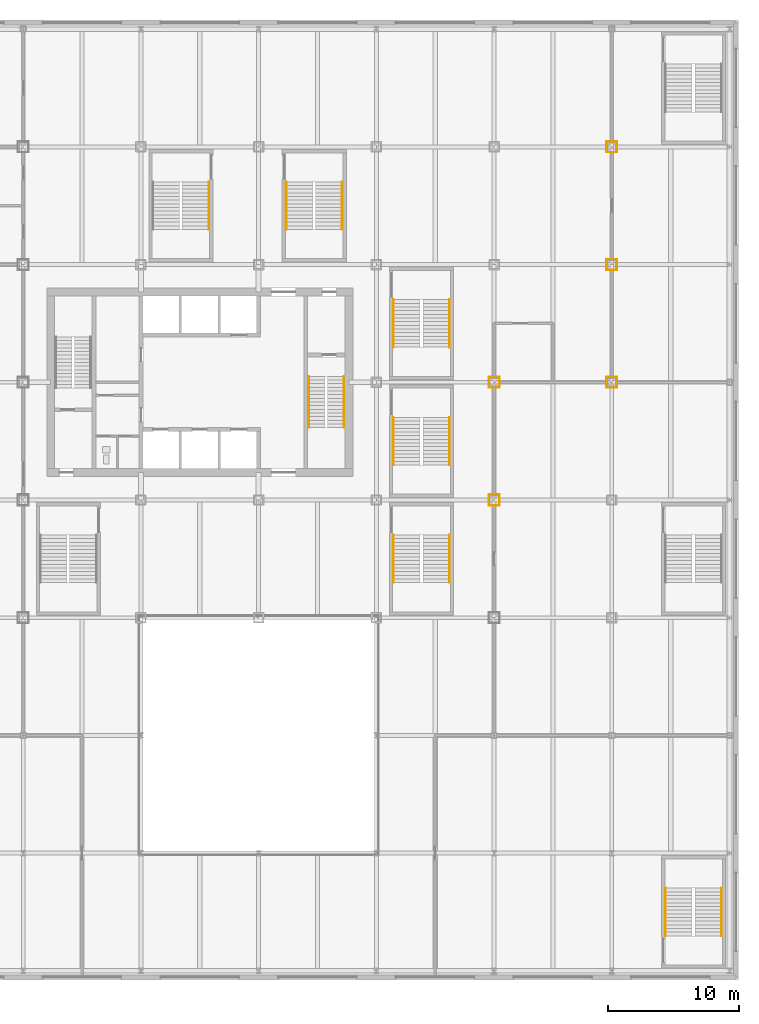
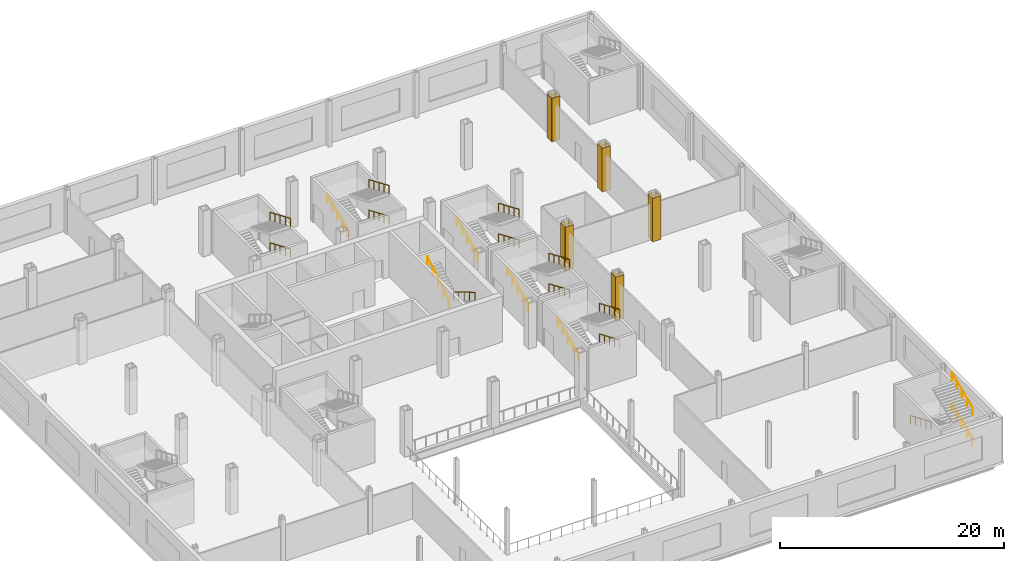
# One storey, part 24 of 28: 20 coverings, 19 railings.
"""IFC4 building model written with IfcOpenShell, lengths in metres."""

from ifc_helpers import new_model, si_unit, direction, frame, origin, origin_2d, place, context, subcontext, project, spatial, rectangle, circle, extrude, material, layer, layer_set, type_object, element, save


model = new_model("IFC4")

# Units and contexts
model_context = context("Model", 3, precision=1e-05, world=origin(), true_north=direction((0.0, 1.0)))
body_context = subcontext(model_context, "Body", "Model", "MODEL_VIEW")
ifc_project = project(units=[si_unit("LENGTHUNIT", "METRE"), si_unit("AREAUNIT", "SQUARE_METRE"), si_unit("VOLUMEUNIT", "CUBIC_METRE"), si_unit("PLANEANGLEUNIT", "RADIAN"), si_unit("MASSUNIT", "GRAM", prefix="KILO")], contexts=[model_context])

# Site, building, storey
site_placement = place(None, origin())
site = spatial("IfcSite", under=ifc_project, at=site_placement, CompositionType="ELEMENT")
building_placement = place(site_placement, origin())
building = spatial("IfcBuilding", under=site, at=building_placement, Name="Loomwork Tower", CompositionType="ELEMENT")
storey_placement = place(building_placement, frame((0.0, 0.0, 6.0)))
storey = spatial("IfcBuildingStorey", under=building, at=storey_placement, Name="L01", CompositionType="ELEMENT", Elevation=6.0)

# Coverings
ifc_material_1 = material(Name="Two-hour fire-rated gypsum board casing")
ifc_layer = layer(ifc_material_1, 0.02490234375)
ifc_layer_set = layer_set([ifc_layer], Name="Column fire casing 25")
covering_type = type_object("IfcCoveringType", Name="Column fire casing 25", PredefinedType="CLADDING", material=ifc_layer_set)
for number, where, z_axis, x_axis, name in (
    (1, (45.0, 9.41259765625, 0.0), (0.0, 0.0, 1.0), (1.0, 0.0, 0.0), "Column casing 45 9 L01"),
    (2, (45.0, 8.58740234375, 0.0), (0.0, 0.0, 1.0), (1.0, 0.0, 0.0), "Column casing 45 9 L01"),
):
    element("IfcCovering", number, at=place(storey_placement, frame(where, z_axis=z_axis, x_axis=x_axis)), inside=storey, type_object=covering_type, Name=name, PredefinedType="CLADDING", context=body_context, shape_type="SweptSolid", body=[
        extrude(rectangle(XDim=0.85009765625, YDim=0.02490234375, at=origin_2d()), origin(), (0.0, 0.0, 1.0), 4.75),
    ])
for number, where, z_axis, x_axis, name in (
    (3, (45.41259765625, 9.0, 0.0), (0.0, 0.0, 1.0), (1.0, 0.0, 0.0), "Column casing 45 9 L01"),
    (4, (44.58740234375, 9.0, 0.0), (0.0, 0.0, 1.0), (1.0, 0.0, 0.0), "Column casing 45 9 L01"),
):
    element("IfcCovering", number, at=place(storey_placement, frame(where, z_axis=z_axis, x_axis=x_axis)), inside=storey, type_object=covering_type, Name=name, PredefinedType="CLADDING", context=body_context, shape_type="SweptSolid", body=[
        extrude(rectangle(XDim=0.02490234375, YDim=0.800048828125, at=origin_2d()), origin(), (0.0, 0.0, 1.0), 4.75),
    ])
for number, where, z_axis, x_axis, name in (
    (5, (45.0, 18.41259765625, 0.0), (0.0, 0.0, 1.0), (1.0, 0.0, 0.0), "Column casing 45 18 L01"),
    (6, (45.0, 17.58740234375, 0.0), (0.0, 0.0, 1.0), (1.0, 0.0, 0.0), "Column casing 45 18 L01"),
):
    element("IfcCovering", number, at=place(storey_placement, frame(where, z_axis=z_axis, x_axis=x_axis)), inside=storey, type_object=covering_type, Name=name, PredefinedType="CLADDING", context=body_context, shape_type="SweptSolid", body=[
        extrude(rectangle(XDim=0.85009765625, YDim=0.02490234375, at=origin_2d()), origin(), (0.0, 0.0, 1.0), 4.75),
    ])
for number, where, z_axis, x_axis, name in (
    (7, (45.41259765625, 18.0, 0.0), (0.0, 0.0, 1.0), (1.0, 0.0, 0.0), "Column casing 45 18 L01"),
    (8, (44.58740234375, 18.0, 0.0), (0.0, 0.0, 1.0), (1.0, 0.0, 0.0), "Column casing 45 18 L01"),
):
    element("IfcCovering", number, at=place(storey_placement, frame(where, z_axis=z_axis, x_axis=x_axis)), inside=storey, type_object=covering_type, Name=name, PredefinedType="CLADDING", context=body_context, shape_type="SweptSolid", body=[
        extrude(rectangle(XDim=0.02490234375, YDim=0.800048828125, at=origin_2d()), origin(), (0.0, 0.0, 1.0), 4.75),
    ])
for number, where, z_axis, x_axis, name in (
    (9, (54.0, 18.41259765625, 0.0), (0.0, 0.0, 1.0), (1.0, 0.0, 0.0), "Column casing 54 18 L01"),
    (10, (54.0, 17.58740234375, 0.0), (0.0, 0.0, 1.0), (1.0, 0.0, 0.0), "Column casing 54 18 L01"),
):
    element("IfcCovering", number, at=place(storey_placement, frame(where, z_axis=z_axis, x_axis=x_axis)), inside=storey, type_object=covering_type, Name=name, PredefinedType="CLADDING", context=body_context, shape_type="SweptSolid", body=[
        extrude(rectangle(XDim=0.85009765625, YDim=0.02490234375, at=origin_2d()), origin(), (0.0, 0.0, 1.0), 4.75),
    ])
for number, where, z_axis, x_axis, name in (
    (11, (54.41259765625, 18.0, 0.0), (0.0, 0.0, 1.0), (1.0, 0.0, 0.0), "Column casing 54 18 L01"),
    (12, (53.58740234375, 18.0, 0.0), (0.0, 0.0, 1.0), (1.0, 0.0, 0.0), "Column casing 54 18 L01"),
):
    element("IfcCovering", number, at=place(storey_placement, frame(where, z_axis=z_axis, x_axis=x_axis)), inside=storey, type_object=covering_type, Name=name, PredefinedType="CLADDING", context=body_context, shape_type="SweptSolid", body=[
        extrude(rectangle(XDim=0.02490234375, YDim=0.800048828125, at=origin_2d()), origin(), (0.0, 0.0, 1.0), 4.75),
    ])
for number, where, z_axis, x_axis, name in (
    (13, (54.0, 27.41259765625, 0.0), (0.0, 0.0, 1.0), (1.0, 0.0, 0.0), "Column casing 54 27 L01"),
    (14, (54.0, 26.58740234375, 0.0), (0.0, 0.0, 1.0), (1.0, 0.0, 0.0), "Column casing 54 27 L01"),
):
    element("IfcCovering", number, at=place(storey_placement, frame(where, z_axis=z_axis, x_axis=x_axis)), inside=storey, type_object=covering_type, Name=name, PredefinedType="CLADDING", context=body_context, shape_type="SweptSolid", body=[
        extrude(rectangle(XDim=0.85009765625, YDim=0.02490234375, at=origin_2d()), origin(), (0.0, 0.0, 1.0), 4.75),
    ])
for number, where, z_axis, x_axis, name in (
    (15, (54.41259765625, 27.0, 0.0), (0.0, 0.0, 1.0), (1.0, 0.0, 0.0), "Column casing 54 27 L01"),
    (16, (53.58740234375, 27.0, 0.0), (0.0, 0.0, 1.0), (1.0, 0.0, 0.0), "Column casing 54 27 L01"),
):
    element("IfcCovering", number, at=place(storey_placement, frame(where, z_axis=z_axis, x_axis=x_axis)), inside=storey, type_object=covering_type, Name=name, PredefinedType="CLADDING", context=body_context, shape_type="SweptSolid", body=[
        extrude(rectangle(XDim=0.02490234375, YDim=0.800048828125, at=origin_2d()), origin(), (0.0, 0.0, 1.0), 4.75),
    ])
for number, where, z_axis, x_axis, name in (
    (17, (54.0, 36.41259765625, 0.0), (0.0, 0.0, 1.0), (1.0, 0.0, 0.0), "Column casing 54 36 L01"),
    (18, (54.0, 35.58740234375, 0.0), (0.0, 0.0, 1.0), (1.0, 0.0, 0.0), "Column casing 54 36 L01"),
):
    element("IfcCovering", number, at=place(storey_placement, frame(where, z_axis=z_axis, x_axis=x_axis)), inside=storey, type_object=covering_type, Name=name, PredefinedType="CLADDING", context=body_context, shape_type="SweptSolid", body=[
        extrude(rectangle(XDim=0.85009765625, YDim=0.02490234375, at=origin_2d()), origin(), (0.0, 0.0, 1.0), 4.75),
    ])
for number, where, z_axis, x_axis, name in (
    (19, (54.41259765625, 36.0, 0.0), (0.0, 0.0, 1.0), (1.0, 0.0, 0.0), "Column casing 54 36 L01"),
    (20, (53.58740234375, 36.0, 0.0), (0.0, 0.0, 1.0), (1.0, 0.0, 0.0), "Column casing 54 36 L01"),
):
    element("IfcCovering", number, at=place(storey_placement, frame(where, z_axis=z_axis, x_axis=x_axis)), inside=storey, type_object=covering_type, Name=name, PredefinedType="CLADDING", context=body_context, shape_type="SweptSolid", body=[
        extrude(rectangle(XDim=0.02490234375, YDim=0.800048828125, at=origin_2d()), origin(), (0.0, 0.0, 1.0), 4.75),
    ])

# Railings
ifc_material_2 = material(Name="Stainless steel handrail", Category="steel")
railing_type = type_object("IfcRailingType", Name="Handrail 900", PredefinedType="HANDRAIL", material=ifc_material_2)
railing_1_placement = place(storey_placement, frame((33.514892578125, 18.449951171875, 0.166748046875)))
element("IfcRailing", 21, at=railing_1_placement, inside=storey, type_object=railing_type, Name="Stair B handrail flight 1 L01", PredefinedType="HANDRAIL", context=body_context, shape_type="SweptSolid", body=[
    extrude(circle(Radius=0.02392578125, at=origin_2d()), frame((0.0, 0.0, 0.8759765625), z_axis=(0.0, -0.859296244711, 0.511478214419), x_axis=(1.0, 0.0, 0.0)), (0.0, 0.0, 1.0), 4.561767578125),
    extrude(circle(Radius=0.02099609375, at=origin_2d()), origin(), (0.0, 0.0, 1.0), 0.851806640625),
    extrude(circle(Radius=0.02099609375, at=origin_2d()), frame((0.0, -0.97998046875, 0.583251953125)), (0.0, 0.0, 1.0), 0.851806640625),
    extrude(circle(Radius=0.02099609375, at=origin_2d()), frame((0.0, -1.9599609375, 1.16650390625)), (0.0, 0.0, 1.0), 0.851806640625),
    extrude(circle(Radius=0.02099609375, at=origin_2d()), frame((0.0, -2.93994140625, 1.75)), (0.0, 0.0, 1.0), 0.851806640625),
    extrude(circle(Radius=0.02099609375, at=origin_2d()), frame((0.0, -3.919921875, 2.333251953125)), (0.0, 0.0, 1.0), 0.851806640625),
])
railing_2_placement = place(storey_placement, frame((30.8349609375, 14.530029296875, 2.666748046875)))
element("IfcRailing", 22, at=railing_2_placement, inside=storey, type_object=railing_type, Name="Stair B handrail flight 2 L01", PredefinedType="HANDRAIL", context=body_context, shape_type="SweptSolid", body=[
    extrude(circle(Radius=0.02392578125, at=origin_2d()), frame((0.0, 0.0, 0.8759765625), z_axis=(0.0, 0.859296244711, 0.511478214419), x_axis=(-1.0, 0.0, 0.0)), (0.0, 0.0, 1.0), 4.561767578125),
    extrude(circle(Radius=0.02099609375, at=origin_2d()), origin(), (0.0, 0.0, 1.0), 0.851806640625),
    extrude(circle(Radius=0.02099609375, at=origin_2d()), frame((0.0, 0.97998046875, 0.583251953125)), (0.0, 0.0, 1.0), 0.851806640625),
    extrude(circle(Radius=0.02099609375, at=origin_2d()), frame((0.0, 1.9599609375, 1.16650390625)), (0.0, 0.0, 1.0), 0.851806640625),
    extrude(circle(Radius=0.02099609375, at=origin_2d()), frame((0.0, 2.93994140625, 1.75)), (0.0, 0.0, 1.0), 0.851806640625),
    extrude(circle(Radius=0.02099609375, at=origin_2d()), frame((0.0, 3.919921875, 2.333251953125)), (0.0, 0.0, 1.0), 0.851806640625),
])
railing_3_placement = place(storey_placement, frame((62.389892578125, -24.320068359375, 0.118896484375)))
element("IfcRailing", 23, at=railing_3_placement, inside=storey, type_object=railing_type, Name="Podium stair PS2 handrail flight 1 L01", PredefinedType="HANDRAIL", context=body_context, shape_type="SweptSolid", body=[
    extrude(circle(Radius=0.02392578125, at=origin_2d()), frame((0.0, 0.0, 0.8759765625), z_axis=(0.0, 0.920258693564, 0.391310537706), x_axis=(-1.0, 0.0, 0.0)), (0.0, 0.0, 1.0), 3.95556640625),
    extrude(circle(Radius=0.02099609375, at=origin_2d()), origin(), (0.0, 0.0, 1.0), 0.851806640625),
    extrude(circle(Radius=0.02099609375, at=origin_2d()), frame((0.0, 0.91015625, 0.386962890625)), (0.0, 0.0, 1.0), 0.851806640625),
    extrude(circle(Radius=0.02099609375, at=origin_2d()), frame((0.0, 1.820068359375, 0.77392578125)), (0.0, 0.0, 1.0), 0.851806640625),
    extrude(circle(Radius=0.02099609375, at=origin_2d()), frame((0.0, 2.72998046875, 1.160888671875)), (0.0, 0.0, 1.0), 0.851806640625),
    extrude(circle(Radius=0.02099609375, at=origin_2d()), frame((0.0, 3.64013671875, 1.5478515625)), (0.0, 0.0, 1.0), 0.851806640625),
])
railing_4_placement = place(storey_placement, frame((58.110107421875, -20.679931640625, 1.78564453125)))
element("IfcRailing", 24, at=railing_4_placement, inside=storey, type_object=railing_type, Name="Podium stair PS2 handrail flight 2 L01", PredefinedType="HANDRAIL", context=body_context, shape_type="SweptSolid", body=[
    extrude(circle(Radius=0.02392578125, at=origin_2d()), frame((0.0, 0.0, 0.8759765625), z_axis=(0.0, -0.920258693564, 0.391310537706), x_axis=(1.0, 0.0, 0.0)), (0.0, 0.0, 1.0), 3.95556640625),
    extrude(circle(Radius=0.02099609375, at=origin_2d()), origin(), (0.0, 0.0, 1.0), 0.851806640625),
    extrude(circle(Radius=0.02099609375, at=origin_2d()), frame((0.0, -0.91015625, 0.386962890625)), (0.0, 0.0, 1.0), 0.851806640625),
    extrude(circle(Radius=0.02099609375, at=origin_2d()), frame((0.0, -1.820068359375, 0.77392578125)), (0.0, 0.0, 1.0), 0.851806640625),
    extrude(circle(Radius=0.02099609375, at=origin_2d()), frame((0.0, -2.72998046875, 1.160888671875)), (0.0, 0.0, 1.0), 0.851806640625),
    extrude(circle(Radius=0.02099609375, at=origin_2d()), frame((0.0, -3.64013671875, 1.5478515625)), (0.0, 0.0, 1.0), 0.851806640625),
])
railing_5_placement = place(storey_placement, frame((62.389892578125, -24.320068359375, 3.452392578125)))
element("IfcRailing", 25, at=railing_5_placement, inside=storey, type_object=railing_type, Name="Podium stair PS2 handrail flight 3 L01", PredefinedType="HANDRAIL", context=body_context, shape_type="SweptSolid", body=[
    extrude(circle(Radius=0.02392578125, at=origin_2d()), frame((0.0, 0.0, 0.8759765625), z_axis=(0.0, 0.920280918742, 0.391258265855), x_axis=(-1.0, 0.0, 0.0)), (0.0, 0.0, 1.0), 3.95556640625),
    extrude(circle(Radius=0.02099609375, at=origin_2d()), origin(), (0.0, 0.0, 1.0), 0.851806640625),
    extrude(circle(Radius=0.02099609375, at=origin_2d()), frame((0.0, 0.91015625, 0.386962890625)), (0.0, 0.0, 1.0), 0.851806640625),
    extrude(circle(Radius=0.02099609375, at=origin_2d()), frame((0.0, 1.820068359375, 0.77392578125)), (0.0, 0.0, 1.0), 0.851806640625),
    extrude(circle(Radius=0.02099609375, at=origin_2d()), frame((0.0, 2.72998046875, 1.16064453125)), (0.0, 0.0, 1.0), 0.851806640625),
    extrude(circle(Radius=0.02099609375, at=origin_2d()), frame((0.0, 3.64013671875, 1.547607421875)), (0.0, 0.0, 1.0), 0.851806640625),
])
railing_6_placement = place(storey_placement, frame((41.590087890625, 6.320068359375, 0.118896484375)))
element("IfcRailing", 26, at=railing_6_placement, inside=storey, type_object=railing_type, Name="Podium stair PS7 handrail flight 1 L01", PredefinedType="HANDRAIL", context=body_context, shape_type="SweptSolid", body=[
    extrude(circle(Radius=0.02392578125, at=origin_2d()), frame((0.0, 0.0, 0.8759765625), z_axis=(0.0, -0.920258693564, 0.391310537706), x_axis=(1.0, 0.0, 0.0)), (0.0, 0.0, 1.0), 3.95556640625),
    extrude(circle(Radius=0.02099609375, at=origin_2d()), origin(), (0.0, 0.0, 1.0), 0.851806640625),
    extrude(circle(Radius=0.02099609375, at=origin_2d()), frame((0.0, -0.91015625, 0.386962890625)), (0.0, 0.0, 1.0), 0.851806640625),
    extrude(circle(Radius=0.02099609375, at=origin_2d()), frame((0.0, -1.820068359375, 0.77392578125)), (0.0, 0.0, 1.0), 0.851806640625),
    extrude(circle(Radius=0.02099609375, at=origin_2d()), frame((0.0, -2.72998046875, 1.160888671875)), (0.0, 0.0, 1.0), 0.851806640625),
    extrude(circle(Radius=0.02099609375, at=origin_2d()), frame((0.0, -3.64013671875, 1.5478515625)), (0.0, 0.0, 1.0), 0.851806640625),
])
railing_7_placement = place(storey_placement, frame((37.31005859375, 2.679931640625, 1.78564453125)))
element("IfcRailing", 27, at=railing_7_placement, inside=storey, type_object=railing_type, Name="Podium stair PS7 handrail flight 2 L01", PredefinedType="HANDRAIL", context=body_context, shape_type="SweptSolid", body=[
    extrude(circle(Radius=0.02392578125, at=origin_2d()), frame((0.0, 0.0, 0.8759765625), z_axis=(0.0, 0.920258693564, 0.391310537706), x_axis=(-1.0, 0.0, 0.0)), (0.0, 0.0, 1.0), 3.95556640625),
    extrude(circle(Radius=0.02099609375, at=origin_2d()), origin(), (0.0, 0.0, 1.0), 0.851806640625),
    extrude(circle(Radius=0.02099609375, at=origin_2d()), frame((0.0, 0.91015625, 0.386962890625)), (0.0, 0.0, 1.0), 0.851806640625),
    extrude(circle(Radius=0.02099609375, at=origin_2d()), frame((0.0, 1.820068359375, 0.77392578125)), (0.0, 0.0, 1.0), 0.851806640625),
    extrude(circle(Radius=0.02099609375, at=origin_2d()), frame((0.0, 2.72998046875, 1.160888671875)), (0.0, 0.0, 1.0), 0.851806640625),
    extrude(circle(Radius=0.02099609375, at=origin_2d()), frame((0.0, 3.64013671875, 1.5478515625)), (0.0, 0.0, 1.0), 0.851806640625),
])
railing_8_placement = place(storey_placement, frame((41.590087890625, 6.320068359375, 3.452392578125)))
element("IfcRailing", 28, at=railing_8_placement, inside=storey, type_object=railing_type, Name="Podium stair PS7 handrail flight 3 L01", PredefinedType="HANDRAIL", context=body_context, shape_type="SweptSolid", body=[
    extrude(circle(Radius=0.02392578125, at=origin_2d()), frame((0.0, 0.0, 0.8759765625), z_axis=(0.0, -0.920280918742, 0.391258265855), x_axis=(1.0, 0.0, 0.0)), (0.0, 0.0, 1.0), 3.95556640625),
    extrude(circle(Radius=0.02099609375, at=origin_2d()), origin(), (0.0, 0.0, 1.0), 0.851806640625),
    extrude(circle(Radius=0.02099609375, at=origin_2d()), frame((0.0, -0.91015625, 0.386962890625)), (0.0, 0.0, 1.0), 0.851806640625),
    extrude(circle(Radius=0.02099609375, at=origin_2d()), frame((0.0, -1.820068359375, 0.77392578125)), (0.0, 0.0, 1.0), 0.851806640625),
    extrude(circle(Radius=0.02099609375, at=origin_2d()), frame((0.0, -2.72998046875, 1.16064453125)), (0.0, 0.0, 1.0), 0.851806640625),
    extrude(circle(Radius=0.02099609375, at=origin_2d()), frame((0.0, -3.64013671875, 1.547607421875)), (0.0, 0.0, 1.0), 0.851806640625),
])
railing_9_placement = place(storey_placement, frame((41.590087890625, 15.320068359375, 0.118896484375)))
element("IfcRailing", 29, at=railing_9_placement, inside=storey, type_object=railing_type, Name="Podium stair PS8 handrail flight 1 L01", PredefinedType="HANDRAIL", context=body_context, shape_type="SweptSolid", body=[
    extrude(circle(Radius=0.02392578125, at=origin_2d()), frame((0.0, 0.0, 0.8759765625), z_axis=(0.0, -0.920258693564, 0.391310537706), x_axis=(1.0, 0.0, 0.0)), (0.0, 0.0, 1.0), 3.95556640625),
    extrude(circle(Radius=0.02099609375, at=origin_2d()), origin(), (0.0, 0.0, 1.0), 0.851806640625),
    extrude(circle(Radius=0.02099609375, at=origin_2d()), frame((0.0, -0.91015625, 0.386962890625)), (0.0, 0.0, 1.0), 0.851806640625),
    extrude(circle(Radius=0.02099609375, at=origin_2d()), frame((0.0, -1.820068359375, 0.77392578125)), (0.0, 0.0, 1.0), 0.851806640625),
    extrude(circle(Radius=0.02099609375, at=origin_2d()), frame((0.0, -2.72998046875, 1.160888671875)), (0.0, 0.0, 1.0), 0.851806640625),
    extrude(circle(Radius=0.02099609375, at=origin_2d()), frame((0.0, -3.64013671875, 1.5478515625)), (0.0, 0.0, 1.0), 0.851806640625),
])
railing_10_placement = place(storey_placement, frame((37.31005859375, 11.679931640625, 1.78564453125)))
element("IfcRailing", 30, at=railing_10_placement, inside=storey, type_object=railing_type, Name="Podium stair PS8 handrail flight 2 L01", PredefinedType="HANDRAIL", context=body_context, shape_type="SweptSolid", body=[
    extrude(circle(Radius=0.02392578125, at=origin_2d()), frame((0.0, 0.0, 0.8759765625), z_axis=(0.0, 0.920258693564, 0.391310537706), x_axis=(-1.0, 0.0, 0.0)), (0.0, 0.0, 1.0), 3.95556640625),
    extrude(circle(Radius=0.02099609375, at=origin_2d()), origin(), (0.0, 0.0, 1.0), 0.851806640625),
    extrude(circle(Radius=0.02099609375, at=origin_2d()), frame((0.0, 0.91015625, 0.386962890625)), (0.0, 0.0, 1.0), 0.851806640625),
    extrude(circle(Radius=0.02099609375, at=origin_2d()), frame((0.0, 1.820068359375, 0.77392578125)), (0.0, 0.0, 1.0), 0.851806640625),
    extrude(circle(Radius=0.02099609375, at=origin_2d()), frame((0.0, 2.72998046875, 1.160888671875)), (0.0, 0.0, 1.0), 0.851806640625),
    extrude(circle(Radius=0.02099609375, at=origin_2d()), frame((0.0, 3.64013671875, 1.5478515625)), (0.0, 0.0, 1.0), 0.851806640625),
])
railing_11_placement = place(storey_placement, frame((41.590087890625, 15.320068359375, 3.452392578125)))
element("IfcRailing", 31, at=railing_11_placement, inside=storey, type_object=railing_type, Name="Podium stair PS8 handrail flight 3 L01", PredefinedType="HANDRAIL", context=body_context, shape_type="SweptSolid", body=[
    extrude(circle(Radius=0.02392578125, at=origin_2d()), frame((0.0, 0.0, 0.8759765625), z_axis=(0.0, -0.920280918742, 0.391258265855), x_axis=(1.0, 0.0, 0.0)), (0.0, 0.0, 1.0), 3.95556640625),
    extrude(circle(Radius=0.02099609375, at=origin_2d()), origin(), (0.0, 0.0, 1.0), 0.851806640625),
    extrude(circle(Radius=0.02099609375, at=origin_2d()), frame((0.0, -0.91015625, 0.386962890625)), (0.0, 0.0, 1.0), 0.851806640625),
    extrude(circle(Radius=0.02099609375, at=origin_2d()), frame((0.0, -1.820068359375, 0.77392578125)), (0.0, 0.0, 1.0), 0.851806640625),
    extrude(circle(Radius=0.02099609375, at=origin_2d()), frame((0.0, -2.72998046875, 1.16064453125)), (0.0, 0.0, 1.0), 0.851806640625),
    extrude(circle(Radius=0.02099609375, at=origin_2d()), frame((0.0, -3.64013671875, 1.547607421875)), (0.0, 0.0, 1.0), 0.851806640625),
])
railing_12_placement = place(storey_placement, frame((41.590087890625, 24.320068359375, 0.118896484375)))
element("IfcRailing", 32, at=railing_12_placement, inside=storey, type_object=railing_type, Name="Podium stair PS9 handrail flight 1 L01", PredefinedType="HANDRAIL", context=body_context, shape_type="SweptSolid", body=[
    extrude(circle(Radius=0.02392578125, at=origin_2d()), frame((0.0, 0.0, 0.8759765625), z_axis=(0.0, -0.920258693564, 0.391310537706), x_axis=(1.0, 0.0, 0.0)), (0.0, 0.0, 1.0), 3.95556640625),
    extrude(circle(Radius=0.02099609375, at=origin_2d()), origin(), (0.0, 0.0, 1.0), 0.851806640625),
    extrude(circle(Radius=0.02099609375, at=origin_2d()), frame((0.0, -0.91015625, 0.386962890625)), (0.0, 0.0, 1.0), 0.851806640625),
    extrude(circle(Radius=0.02099609375, at=origin_2d()), frame((0.0, -1.820068359375, 0.77392578125)), (0.0, 0.0, 1.0), 0.851806640625),
    extrude(circle(Radius=0.02099609375, at=origin_2d()), frame((0.0, -2.72998046875, 1.160888671875)), (0.0, 0.0, 1.0), 0.851806640625),
    extrude(circle(Radius=0.02099609375, at=origin_2d()), frame((0.0, -3.64013671875, 1.5478515625)), (0.0, 0.0, 1.0), 0.851806640625),
])
railing_13_placement = place(storey_placement, frame((37.31005859375, 20.679931640625, 1.78564453125)))
element("IfcRailing", 33, at=railing_13_placement, inside=storey, type_object=railing_type, Name="Podium stair PS9 handrail flight 2 L01", PredefinedType="HANDRAIL", context=body_context, shape_type="SweptSolid", body=[
    extrude(circle(Radius=0.02392578125, at=origin_2d()), frame((0.0, 0.0, 0.8759765625), z_axis=(0.0, 0.920258693564, 0.391310537706), x_axis=(-1.0, 0.0, 0.0)), (0.0, 0.0, 1.0), 3.95556640625),
    extrude(circle(Radius=0.02099609375, at=origin_2d()), origin(), (0.0, 0.0, 1.0), 0.851806640625),
    extrude(circle(Radius=0.02099609375, at=origin_2d()), frame((0.0, 0.91015625, 0.386962890625)), (0.0, 0.0, 1.0), 0.851806640625),
    extrude(circle(Radius=0.02099609375, at=origin_2d()), frame((0.0, 1.820068359375, 0.77392578125)), (0.0, 0.0, 1.0), 0.851806640625),
    extrude(circle(Radius=0.02099609375, at=origin_2d()), frame((0.0, 2.72998046875, 1.160888671875)), (0.0, 0.0, 1.0), 0.851806640625),
    extrude(circle(Radius=0.02099609375, at=origin_2d()), frame((0.0, 3.64013671875, 1.5478515625)), (0.0, 0.0, 1.0), 0.851806640625),
])
railing_14_placement = place(storey_placement, frame((41.590087890625, 24.320068359375, 3.452392578125)))
element("IfcRailing", 34, at=railing_14_placement, inside=storey, type_object=railing_type, Name="Podium stair PS9 handrail flight 3 L01", PredefinedType="HANDRAIL", context=body_context, shape_type="SweptSolid", body=[
    extrude(circle(Radius=0.02392578125, at=origin_2d()), frame((0.0, 0.0, 0.8759765625), z_axis=(0.0, -0.920280918742, 0.391258265855), x_axis=(1.0, 0.0, 0.0)), (0.0, 0.0, 1.0), 3.95556640625),
    extrude(circle(Radius=0.02099609375, at=origin_2d()), origin(), (0.0, 0.0, 1.0), 0.851806640625),
    extrude(circle(Radius=0.02099609375, at=origin_2d()), frame((0.0, -0.91015625, 0.386962890625)), (0.0, 0.0, 1.0), 0.851806640625),
    extrude(circle(Radius=0.02099609375, at=origin_2d()), frame((0.0, -1.820068359375, 0.77392578125)), (0.0, 0.0, 1.0), 0.851806640625),
    extrude(circle(Radius=0.02099609375, at=origin_2d()), frame((0.0, -2.72998046875, 1.16064453125)), (0.0, 0.0, 1.0), 0.851806640625),
    extrude(circle(Radius=0.02099609375, at=origin_2d()), frame((0.0, -3.64013671875, 1.547607421875)), (0.0, 0.0, 1.0), 0.851806640625),
])
railing_15_placement = place(storey_placement, frame((23.18994140625, 33.320068359375, 0.118896484375)))
element("IfcRailing", 35, at=railing_15_placement, inside=storey, type_object=railing_type, Name="Podium stair PS10 handrail flight 1 L01", PredefinedType="HANDRAIL", context=body_context, shape_type="SweptSolid", body=[
    extrude(circle(Radius=0.02392578125, at=origin_2d()), frame((0.0, 0.0, 0.8759765625), z_axis=(0.0, -0.920258693564, 0.391310537706), x_axis=(1.0, 0.0, 0.0)), (0.0, 0.0, 1.0), 3.95556640625),
    extrude(circle(Radius=0.02099609375, at=origin_2d()), origin(), (0.0, 0.0, 1.0), 0.851806640625),
    extrude(circle(Radius=0.02099609375, at=origin_2d()), frame((0.0, -0.91015625, 0.386962890625)), (0.0, 0.0, 1.0), 0.851806640625),
    extrude(circle(Radius=0.02099609375, at=origin_2d()), frame((0.0, -1.820068359375, 0.77392578125)), (0.0, 0.0, 1.0), 0.851806640625),
    extrude(circle(Radius=0.02099609375, at=origin_2d()), frame((0.0, -2.72998046875, 1.160888671875)), (0.0, 0.0, 1.0), 0.851806640625),
    extrude(circle(Radius=0.02099609375, at=origin_2d()), frame((0.0, -3.64013671875, 1.5478515625)), (0.0, 0.0, 1.0), 0.851806640625),
])
railing_16_placement = place(storey_placement, frame((23.18994140625, 33.320068359375, 3.452392578125)))
element("IfcRailing", 36, at=railing_16_placement, inside=storey, type_object=railing_type, Name="Podium stair PS10 handrail flight 3 L01", PredefinedType="HANDRAIL", context=body_context, shape_type="SweptSolid", body=[
    extrude(circle(Radius=0.02392578125, at=origin_2d()), frame((0.0, 0.0, 0.8759765625), z_axis=(0.0, -0.920280918742, 0.391258265855), x_axis=(1.0, 0.0, 0.0)), (0.0, 0.0, 1.0), 3.95556640625),
    extrude(circle(Radius=0.02099609375, at=origin_2d()), origin(), (0.0, 0.0, 1.0), 0.851806640625),
    extrude(circle(Radius=0.02099609375, at=origin_2d()), frame((0.0, -0.91015625, 0.386962890625)), (0.0, 0.0, 1.0), 0.851806640625),
    extrude(circle(Radius=0.02099609375, at=origin_2d()), frame((0.0, -1.820068359375, 0.77392578125)), (0.0, 0.0, 1.0), 0.851806640625),
    extrude(circle(Radius=0.02099609375, at=origin_2d()), frame((0.0, -2.72998046875, 1.16064453125)), (0.0, 0.0, 1.0), 0.851806640625),
    extrude(circle(Radius=0.02099609375, at=origin_2d()), frame((0.0, -3.64013671875, 1.547607421875)), (0.0, 0.0, 1.0), 0.851806640625),
])
railing_17_placement = place(storey_placement, frame((33.389892578125, 33.320068359375, 0.118896484375)))
element("IfcRailing", 37, at=railing_17_placement, inside=storey, type_object=railing_type, Name="Podium stair PS11 handrail flight 1 L01", PredefinedType="HANDRAIL", context=body_context, shape_type="SweptSolid", body=[
    extrude(circle(Radius=0.02392578125, at=origin_2d()), frame((0.0, 0.0, 0.8759765625), z_axis=(0.0, -0.920258693564, 0.391310537706), x_axis=(1.0, 0.0, 0.0)), (0.0, 0.0, 1.0), 3.95556640625),
    extrude(circle(Radius=0.02099609375, at=origin_2d()), origin(), (0.0, 0.0, 1.0), 0.851806640625),
    extrude(circle(Radius=0.02099609375, at=origin_2d()), frame((0.0, -0.91015625, 0.386962890625)), (0.0, 0.0, 1.0), 0.851806640625),
    extrude(circle(Radius=0.02099609375, at=origin_2d()), frame((0.0, -1.820068359375, 0.77392578125)), (0.0, 0.0, 1.0), 0.851806640625),
    extrude(circle(Radius=0.02099609375, at=origin_2d()), frame((0.0, -2.72998046875, 1.160888671875)), (0.0, 0.0, 1.0), 0.851806640625),
    extrude(circle(Radius=0.02099609375, at=origin_2d()), frame((0.0, -3.64013671875, 1.5478515625)), (0.0, 0.0, 1.0), 0.851806640625),
])
railing_18_placement = place(storey_placement, frame((29.110107421875, 29.679931640625, 1.78564453125)))
element("IfcRailing", 38, at=railing_18_placement, inside=storey, type_object=railing_type, Name="Podium stair PS11 handrail flight 2 L01", PredefinedType="HANDRAIL", context=body_context, shape_type="SweptSolid", body=[
    extrude(circle(Radius=0.02392578125, at=origin_2d()), frame((0.0, 0.0, 0.8759765625), z_axis=(0.0, 0.920258693564, 0.391310537706), x_axis=(-1.0, 0.0, 0.0)), (0.0, 0.0, 1.0), 3.95556640625),
    extrude(circle(Radius=0.02099609375, at=origin_2d()), origin(), (0.0, 0.0, 1.0), 0.851806640625),
    extrude(circle(Radius=0.02099609375, at=origin_2d()), frame((0.0, 0.91015625, 0.386962890625)), (0.0, 0.0, 1.0), 0.851806640625),
    extrude(circle(Radius=0.02099609375, at=origin_2d()), frame((0.0, 1.820068359375, 0.77392578125)), (0.0, 0.0, 1.0), 0.851806640625),
    extrude(circle(Radius=0.02099609375, at=origin_2d()), frame((0.0, 2.72998046875, 1.160888671875)), (0.0, 0.0, 1.0), 0.851806640625),
    extrude(circle(Radius=0.02099609375, at=origin_2d()), frame((0.0, 3.64013671875, 1.5478515625)), (0.0, 0.0, 1.0), 0.851806640625),
])
railing_19_placement = place(storey_placement, frame((33.389892578125, 33.320068359375, 3.452392578125)))
element("IfcRailing", 39, at=railing_19_placement, inside=storey, type_object=railing_type, Name="Podium stair PS11 handrail flight 3 L01", PredefinedType="HANDRAIL", context=body_context, shape_type="SweptSolid", body=[
    extrude(circle(Radius=0.02392578125, at=origin_2d()), frame((0.0, 0.0, 0.8759765625), z_axis=(0.0, -0.920280918742, 0.391258265855), x_axis=(1.0, 0.0, 0.0)), (0.0, 0.0, 1.0), 3.95556640625),
    extrude(circle(Radius=0.02099609375, at=origin_2d()), origin(), (0.0, 0.0, 1.0), 0.851806640625),
    extrude(circle(Radius=0.02099609375, at=origin_2d()), frame((0.0, -0.91015625, 0.386962890625)), (0.0, 0.0, 1.0), 0.851806640625),
    extrude(circle(Radius=0.02099609375, at=origin_2d()), frame((0.0, -1.820068359375, 0.77392578125)), (0.0, 0.0, 1.0), 0.851806640625),
    extrude(circle(Radius=0.02099609375, at=origin_2d()), frame((0.0, -2.72998046875, 1.16064453125)), (0.0, 0.0, 1.0), 0.851806640625),
    extrude(circle(Radius=0.02099609375, at=origin_2d()), frame((0.0, -3.64013671875, 1.547607421875)), (0.0, 0.0, 1.0), 0.851806640625),
])

save(model, "model.ifc")
